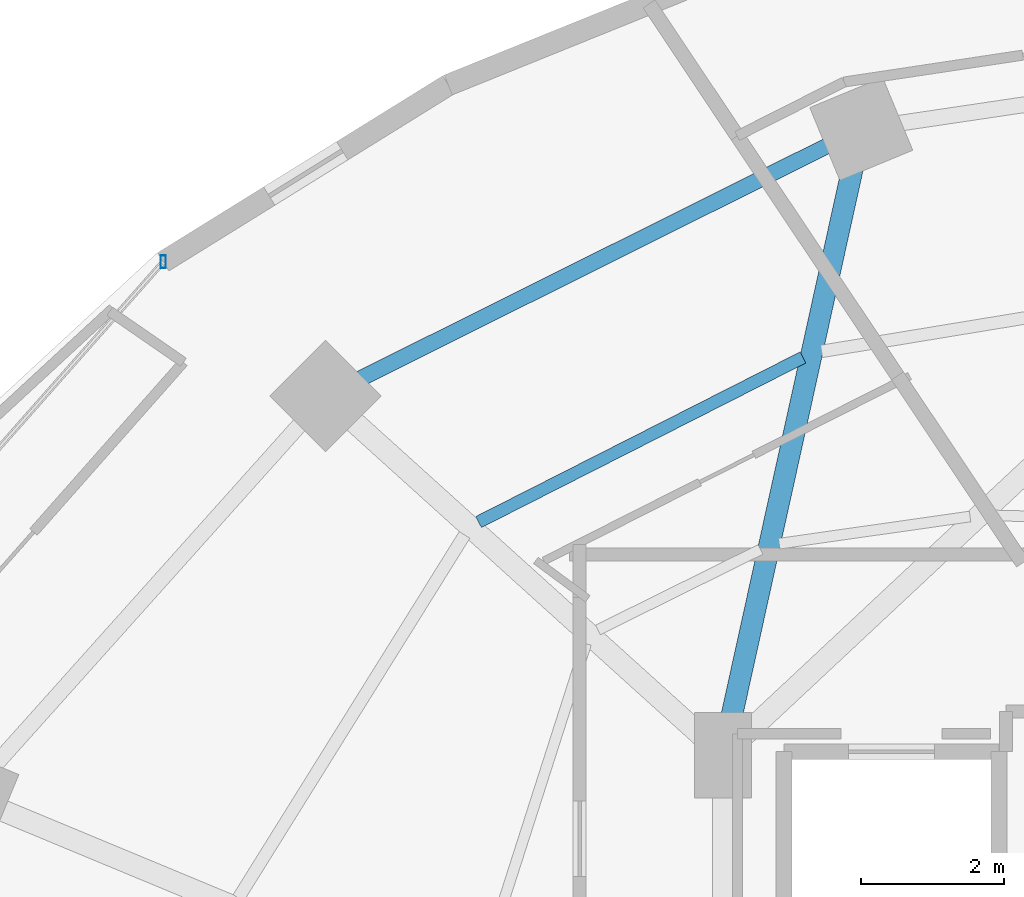
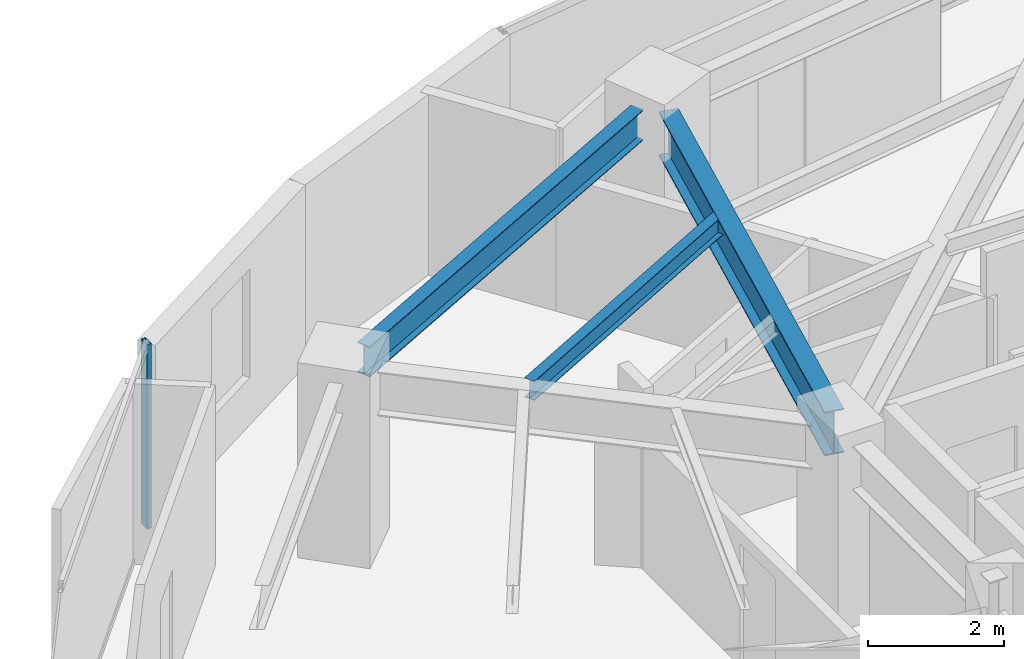
# One storey, part 17 of 29: 3 beams, 1 member, 1 element without a shape of its own.
"""IFC4 building model written with IfcOpenShell, lengths in metres."""

from ifc_helpers import new_model, si_unit, direction, frame, origin, origin_2d, place, context, subcontext, project, spatial, hollow_rectangle, i_section, extrude, material, material_profile, profile_set, type_object, element, aggregate, save


model = new_model("IFC4")

# Units and contexts
model_context = context("Model", 3, precision=1e-05, world=origin(), true_north=direction((0.0, 1.0)))
body_context = subcontext(model_context, "Body", "Model", "MODEL_VIEW")
ifc_project = project(units=[si_unit("LENGTHUNIT", "METRE"), si_unit("AREAUNIT", "SQUARE_METRE"), si_unit("VOLUMEUNIT", "CUBIC_METRE"), si_unit("PLANEANGLEUNIT", "RADIAN"), si_unit("MASSUNIT", "GRAM", prefix="KILO")], contexts=[model_context])

# Site, building, storey
site_placement = place(None, origin())
site = spatial("IfcSite", under=ifc_project, at=site_placement, CompositionType="ELEMENT")
building_placement = place(site_placement, origin())
building = spatial("IfcBuilding", under=site, at=building_placement, Name="Vorneva Point Tower", CompositionType="ELEMENT")
storey_placement = place(building_placement, frame((0.0, 0.0, 85.800048828125)))
storey = spatial("IfcBuildingStorey", under=building, at=storey_placement, Name="L22", CompositionType="ELEMENT", Elevation=85.800048828125)

# Beams
ifc_material_1 = material(Name="Steel S355", Category="steel")
ifc_material_profile_1 = material_profile(ifc_material_1, i_section(OverallWidth=0.300048828125, OverallDepth=0.7880859375, WebThickness=0.014404296875, FlangeThickness=0.02197265625, at=origin_2d()), Name="80Sh1")
ifc_profile_set_1 = profile_set([ifc_material_profile_1], Name="Steel S355")
beam_type_1 = type_object("IfcBeamType", Name="BM-GRD-80Sh1", PredefinedType="USERDEFINED", material=ifc_profile_set_1)
beam_1_placement = place(storey_placement, frame((29.063232421875, 41.365234375, 2.845947265625), z_axis=(-0.215530944428, -0.976497010745, 0.0), x_axis=(0.976497010745, -0.215530944428, 0.0)))
element("IfcBeam", 1, at=beam_1_placement, inside=storey, type_object=beam_type_1, Name="L22 Radial Primary Girder 06", ObjectType="GIRDER", PredefinedType="USERDEFINED", context=body_context, shape_type="SweptSolid", body=[
    extrude(i_section(OverallWidth=0.300048828125, OverallDepth=0.7880859375, WebThickness=0.014404296875, FlangeThickness=0.02197265625, at=origin_2d()), origin(), (0.0, 0.0, 1.0), 8.072998046875),
])
ifc_material_profile_2 = material_profile(ifc_material_1, i_section(OverallWidth=0.174072265625, OverallDepth=0.345947265625, WebThickness=0.006103515625, FlangeThickness=0.009033203125, at=origin_2d()), Name="35B1")
ifc_profile_set_2 = profile_set([ifc_material_profile_2], Name="Steel S355")
beam_type_2 = type_object("IfcBeamType", Name="BM-SEC-35B1", PredefinedType="BEAM", material=ifc_profile_set_2)
beam_2_placement = place(storey_placement, frame((28.365966796875, 38.701416015625, 3.06689453125), z_axis=(-0.891736950486, -0.452554097471, 0.0), x_axis=(0.452554097471, -0.891736950486, 0.0)))
element("IfcBeam", 2, at=beam_2_placement, inside=storey, type_object=beam_type_2, Name="L22 Secondary Floor Beam 1.06", PredefinedType="BEAM", context=body_context, shape_type="SweptSolid", body=[
    extrude(i_section(OverallWidth=0.174072265625, OverallDepth=0.345947265625, WebThickness=0.006103515625, FlangeThickness=0.009033203125, at=origin_2d()), origin(), (0.0, 0.0, 1.0), 5.075927734375),
])
ifc_material_profile_3 = material_profile(ifc_material_1, i_section(OverallWidth=0.219970703125, OverallDepth=0.54296875, WebThickness=0.009521484375, FlangeThickness=0.013427734375, at=origin_2d()), Name="55B1")
ifc_profile_set_3 = profile_set([ifc_material_profile_3], Name="Steel S355")
beam_type_3 = type_object("IfcBeamType", Name="BM-SPN-55B1", PredefinedType="SPANDREL", material=ifc_profile_set_3)
beam_3_placement = place(storey_placement, frame((28.7001953125, 41.652099609375, 2.968505859375), z_axis=(-0.894915882304, -0.446234874926, 0.0), x_axis=(0.446234874926, -0.894915882304, 0.0)))
element("IfcBeam", 3, at=beam_3_placement, inside=storey, type_object=beam_type_3, Name="L22 Perimeter Spandrel Ring Beam 06", PredefinedType="SPANDREL", context=body_context, shape_type="SweptSolid", body=[
    extrude(i_section(OverallWidth=0.219970703125, OverallDepth=0.54296875, WebThickness=0.009521484375, FlangeThickness=0.013427734375, at=origin_2d()), origin(), (0.0, 0.0, 1.0), 7.285888671875),
])

# Curtain wall, member
ifc_material_2 = material(Name="Pale anodised aluminium", Category="aluminium")
curtain_wall_type = type_object("IfcCurtainWallType", Name="CW-HTL-SYS", PredefinedType="NOTDEFINED", material=ifc_material_2)
curtain_wall_placement = place(storey_placement, origin())
curtain_wall = element("IfcCurtainWall", 4, at=curtain_wall_placement, inside=storey, type_object=curtain_wall_type, Name="L22 Unitised Curtain Wall CW-L22-R02", PredefinedType="NOTDEFINED")
ifc_material_profile_4 = material_profile(ifc_material_2, hollow_rectangle(XDim=0.074951171875, YDim=0.179931640625, WallThickness=0.00390625, at=origin_2d()), Name="AL-MUL 180x75x4")
ifc_profile_set_4 = profile_set([ifc_material_profile_4], Name="Pale anodised aluminium")
member_type = type_object("IfcMemberType", Name="CW-MUL-180", PredefinedType="MULLION", material=ifc_profile_set_4)
member_placement = place(storey_placement, frame((19.4384765625, 40.0361328125, -0.0400390625), z_axis=(0.0, 0.0, 1.0), x_axis=(1.0, 0.0, 0.0)))
member = element("IfcMember", 5, at=member_placement, type_object=member_type, Name="CW-L22-R02 Mullion 01", PredefinedType="MULLION", context=body_context, shape_type="SweptSolid", body=[
    extrude(hollow_rectangle(XDim=0.074951171875, YDim=0.179931640625, WallThickness=0.00390625, at=origin_2d()), origin(), (0.0, 0.0, 1.0), 3.31005859375),
])
aggregate(curtain_wall, [member])

save(model, "model.ifc")
